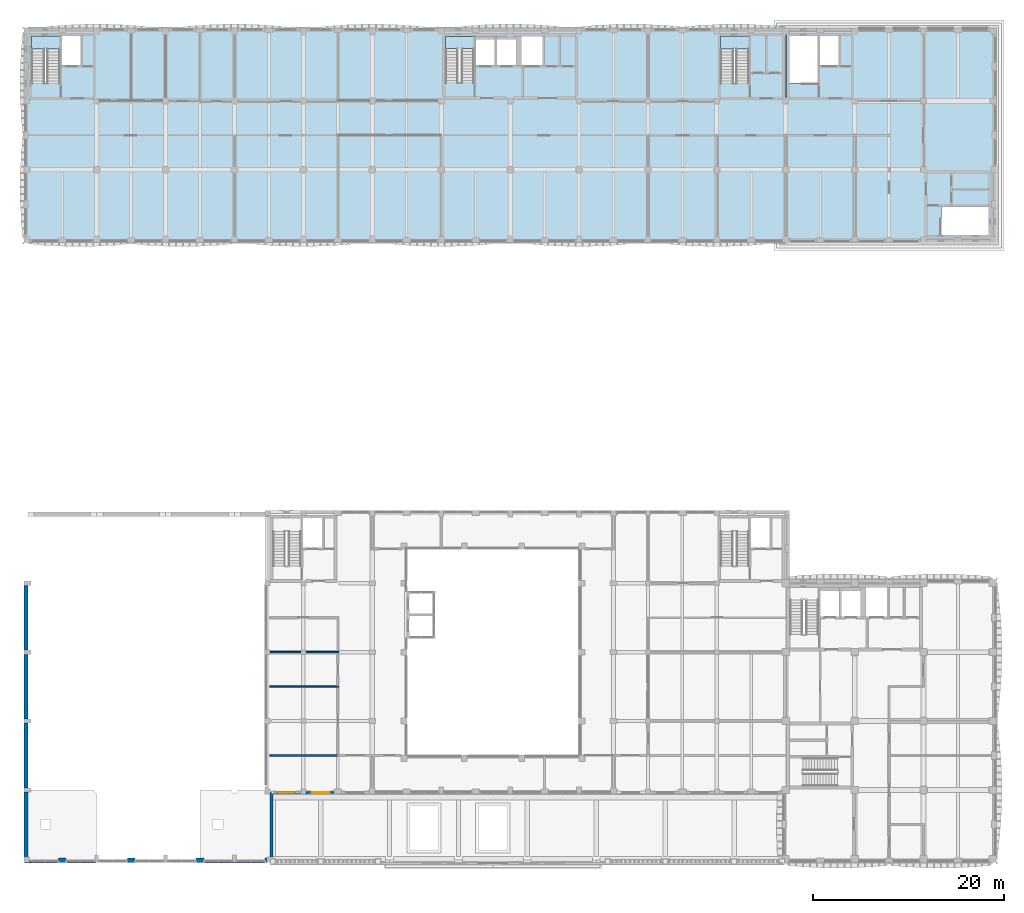
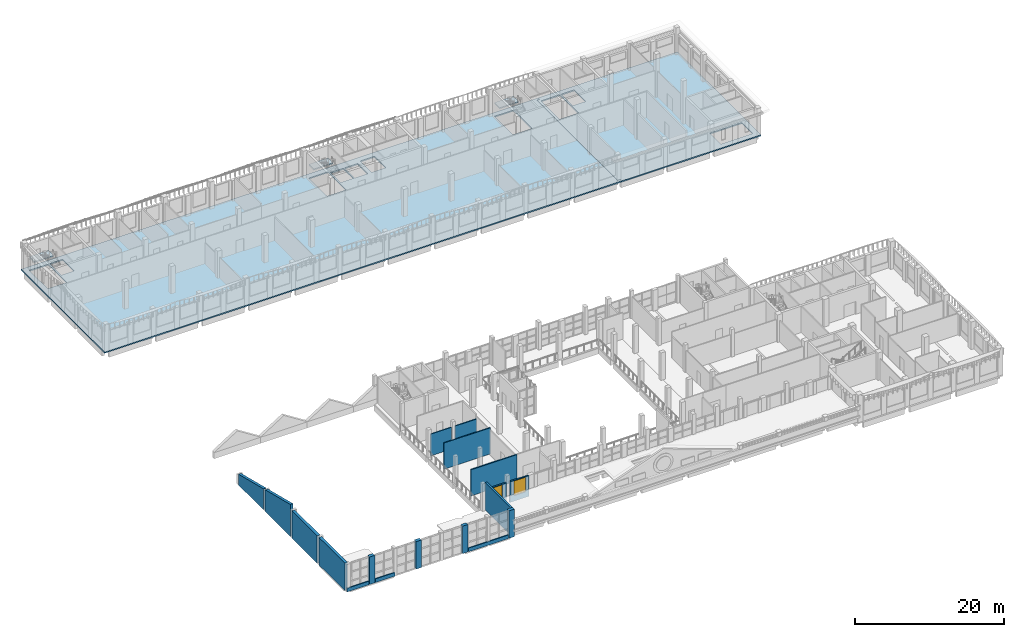
# One storey, part 19 of 58: 18 walls, 5 slabs, 2 windows, 2 openings, 3 elements without a shape of their own.
"""IFC4 building model written with IfcOpenShell, lengths in metres."""

import ifcopenshell
import ifcopenshell.guid

model = None  # the IFC model being written
_history = None  # IfcOwnerHistory: only IFC2X3 demands one
_inside = {}  # id of a spatial element -> (the spatial element, [elements in it])
_under = {}  # id of a project, library or spatial element -> (it, [spatial elements below it])
_declared = {}  # id of a project -> (the project, [libraries it declares])
_typed = {}  # id of a type object -> (the type object, [elements of that type])
_made_of = {}  # id of a material, layer set ... -> (it, [elements and type objects made of it])


def new_model(schema):
    """Start an empty IFC model of exactly this schema.

    Asked for "IFC4X3", IfcOpenShell would pick the latest addendum, in which some entities
    have other attributes; the version numbers below select the first issue.
    IFC2X3 requires an IfcOwnerHistory on every rooted entity: one is made here for all.
    """
    global model, _history
    if schema == "IFC4X3":
        model = ifcopenshell.file(schema_version=(4, 3, 0, 0))
    else:
        model = ifcopenshell.file(schema=schema)
    _inside.clear()
    _under.clear()
    _declared.clear()
    _typed.clear()
    _made_of.clear()
    _history = None
    if model.schema == "IFC2X3":
        org = make("IfcOrganization", Name="unknown")
        user = make(
            "IfcPersonAndOrganization",
            ThePerson=make("IfcPerson", FamilyName="unknown"),
            TheOrganization=org,
        )
        app = make(
            "IfcApplication",
            ApplicationDeveloper=org,
            Version="unknown",
            ApplicationFullName="unknown",
            ApplicationIdentifier="unknown",
        )
        _history = make(
            "IfcOwnerHistory",
            OwningUser=user,
            OwningApplication=app,
            ChangeAction="ADDED",
            CreationDate=0,
        )
    return model


def make(cls, **values):
    """One entity of the class cls with the attributes given. An attribute that is None is left unset."""
    return model.create_entity(
        cls, **{name: value for name, value in values.items() if value is not None}
    )


def rooted(cls, **values):
    """An entity with a GlobalId (a new one), such as an element, a storey or a relation."""
    return make(cls, GlobalId=ifcopenshell.guid.new(), OwnerHistory=_history, **values)


def si_unit(unit_type, name, prefix=None):
    """IfcSIUnit, for example si_unit("LENGTHUNIT", "METRE", prefix="MILLI")."""
    return make("IfcSIUnit", UnitType=unit_type, Prefix=prefix, Name=name)


def assignment(units):
    """IfcUnitAssignment: the units of a project."""
    return None if units is None else make("IfcUnitAssignment", Units=units)


def point(xyz):
    """IfcCartesianPoint."""
    return None if xyz is None else make("IfcCartesianPoint", Coordinates=xyz)


def direction(xyz):
    """IfcDirection."""
    return None if xyz is None else make("IfcDirection", DirectionRatios=xyz)


def frame(location, z_axis=None, x_axis=None):
    """IfcAxis2Placement3D, a coordinate frame: its origin and axes. An axis left out is left unset."""
    return make(
        "IfcAxis2Placement3D",
        Location=point(location),
        Axis=direction(z_axis),
        RefDirection=direction(x_axis),
    )


def frame_2d(location, x_axis=None):
    """IfcAxis2Placement2D, a coordinate frame in the plane: its origin and x axis."""
    return make(
        "IfcAxis2Placement2D", Location=point(location), RefDirection=direction(x_axis)
    )


def origin():
    """The frame at (0, 0, 0) with its axes left unset."""
    return frame((0.0, 0.0, 0.0))


def place(relative_to, where):
    """IfcLocalPlacement: puts the frame where relative to a parent placement (None: the world)."""
    return make(
        "IfcLocalPlacement", PlacementRelTo=relative_to, RelativePlacement=where
    )


def context(
    kind, dimensions, precision=None, world=None, true_north=None, identifier=None
):
    """IfcGeometricRepresentationContext, for example the 3D "Model" context."""
    return make(
        "IfcGeometricRepresentationContext",
        ContextIdentifier=identifier,
        ContextType=kind,
        CoordinateSpaceDimension=dimensions,
        Precision=precision,
        WorldCoordinateSystem=world,
        TrueNorth=true_north,
    )


def subcontext(parent, identifier, kind, view, scale=None):
    """IfcGeometricRepresentationSubContext, for example "Body" below "Model"."""
    return make(
        "IfcGeometricRepresentationSubContext",
        ContextIdentifier=identifier,
        ContextType=kind,
        ParentContext=parent,
        TargetScale=scale,
        TargetView=view,
    )


def project(units=None, contexts=None):
    """IfcProject with its units and contexts."""
    return rooted(
        "IfcProject",
        Name="project",
        RepresentationContexts=contexts,
        UnitsInContext=assignment(units),
    )


def spatial(cls, under=None, at=None, **own):
    """A site, building, storey or space (cls), placed at a placement, below another one or the project."""
    s = rooted(cls, ObjectPlacement=at, **own)
    if under is not None:
        _under.setdefault(under.id(), (under, []))[1].append(s)
    return s


def polyline(points):
    """IfcPolyline through the points."""
    return make("IfcPolyline", Points=[point(p) for p in points])


def profile(cls, at=None, kind="AREA", **sizes):
    """A parametric profile (cls). Its sizes go by their IFC names, for example OverallWidth=200.0."""
    return make(cls, ProfileType=kind, Position=at, **sizes)


def rectangle(**sizes):
    """IfcRectangleProfileDef."""
    return profile("IfcRectangleProfileDef", **sizes)


def outline(outer, holes=None, kind="AREA"):
    """IfcArbitraryClosedProfileDef: a profile drawn as a closed curve; with holes, ...WithVoids."""
    if holes is None:
        return make("IfcArbitraryClosedProfileDef", ProfileType=kind, OuterCurve=outer)
    return make(
        "IfcArbitraryProfileDefWithVoids",
        ProfileType=kind,
        OuterCurve=outer,
        InnerCurves=holes,
    )


def extrude(swept, where, along, depth):
    """IfcExtrudedAreaSolid: the profile swept, set in the frame where, extruded along a direction by depth."""
    return make(
        "IfcExtrudedAreaSolid",
        SweptArea=swept,
        Position=where,
        ExtrudedDirection=direction(along),
        Depth=depth,
    )


def shape(context_of_items, identifier, shape_type, items):
    """IfcShapeRepresentation: the items that make up one representation, for example the "Body"."""
    return make(
        "IfcShapeRepresentation",
        ContextOfItems=context_of_items,
        RepresentationIdentifier=identifier,
        RepresentationType=shape_type,
        Items=items,
    )


def material(Name=None, Category=None):
    """IfcMaterial."""
    return make("IfcMaterial", Name=Name, Category=Category)


def layer(
    of_material, thickness, ventilated=None, Name=None, Category=None, Priority=None
):
    """IfcMaterialLayer: one layer of a wall or slab, of a material (None: an air gap)."""
    return make(
        "IfcMaterialLayer",
        Material=of_material,
        LayerThickness=thickness,
        IsVentilated=ventilated,
        Name=Name,
        Category=Category,
        Priority=Priority,
    )


def layer_set(layers, Name=None):
    """IfcMaterialLayerSet."""
    return make("IfcMaterialLayerSet", MaterialLayers=layers, LayerSetName=Name)


def made_of(thing, what):
    """Note that an element or type object is made of a material, layer set ...; save() writes the relation."""
    if what is not None:
        _made_of.setdefault(what.id(), (what, []))[1].append(thing)
    return thing


def type_object(cls, material=None, **own):
    """A type object (cls), such as IfcWallType, which elements share."""
    return made_of(rooted(cls, **own), material)


def element(
    cls,
    number,
    at=None,
    inside=None,
    cuts=None,
    type_object=None,
    material=None,
    context=None,
    identifier="Body",
    shape_type=None,
    held_by="IfcProductDefinitionShape",
    body=None,
    shapes=None,
    **own,
):
    """One element of the class cls, such as IfcWall. Its Tag is "e" and its number.

    at: its placement. inside: the storey or other place that contains it. cuts: it is an
    opening in that element (IfcRelVoidsElement). A single representation is given by context,
    identifier, shape_type and body (its items); several are given by shapes. held_by: the class
    of the entity that holds the representations. save() writes the other relations.
    """
    e = rooted(cls, Tag="e%d" % number, ObjectPlacement=at, **own)
    if body is not None:
        shapes = [shape(context, identifier, shape_type, body)]
    if shapes is not None:
        e.Representation = make(held_by, Representations=shapes)
    if inside is not None:
        _inside.setdefault(inside.id(), (inside, []))[1].append(e)
    if cuts is not None:
        rooted(
            "IfcRelVoidsElement", RelatingBuildingElement=cuts, RelatedOpeningElement=e
        )
    if type_object is not None:
        _typed.setdefault(type_object.id(), (type_object, []))[1].append(e)
    return made_of(e, material)


def fill(opening, filler):
    """IfcRelFillsElement: the door or window that sits in an opening."""
    return rooted(
        "IfcRelFillsElement",
        RelatingOpeningElement=opening,
        RelatedBuildingElement=filler,
    )


def aggregate(whole, parts):
    """IfcRelAggregates: a whole, such as a stair, and the parts it consists of."""
    return rooted("IfcRelAggregates", RelatingObject=whole, RelatedObjects=parts)


def save(model, path):
    """Write the relations noted so far, then the file.

    IfcRelAggregates (storeys below a building ...), IfcRelContainedInSpatialStructure (elements
    in a storey), IfcRelDefinesByType, IfcRelAssociatesMaterial and IfcRelDeclares: one each for
    every whole, place, type object, material and project.
    """
    for whole, parts in _under.values():
        aggregate(whole, parts)
    for where, things in _inside.values():
        rooted(
            "IfcRelContainedInSpatialStructure",
            RelatedElements=things,
            RelatingStructure=where,
        )
    for kind, things in _typed.values():
        rooted("IfcRelDefinesByType", RelatedObjects=things, RelatingType=kind)
    for what, things in _made_of.values():
        rooted("IfcRelAssociatesMaterial", RelatedObjects=things, RelatingMaterial=what)
    for by, libraries in _declared.values():
        rooted("IfcRelDeclares", RelatingContext=by, RelatedDefinitions=libraries)
    model.write(path)


model = new_model("IFC4")

# Units and contexts
model_context = context("Model", 3, precision=1e-05, world=origin(), true_north=direction((0.0, 1.0)))
body_context = subcontext(model_context, "Body", "Model", "MODEL_VIEW")
ifc_project = project(units=[si_unit("LENGTHUNIT", "METRE"), si_unit("AREAUNIT", "SQUARE_METRE"), si_unit("VOLUMEUNIT", "CUBIC_METRE"), si_unit("PLANEANGLEUNIT", "RADIAN"), si_unit("MASSUNIT", "GRAM", prefix="KILO")], contexts=[model_context])

# Site, building, storey
site_placement = place(None, origin())
site = spatial("IfcSite", under=ifc_project, at=site_placement, CompositionType="ELEMENT")
building_placement = place(site_placement, origin())
building = spatial("IfcBuilding", under=site, at=building_placement, Name="Ussher Court Research Institute", CompositionType="ELEMENT")
storey_placement = place(building_placement, frame((0.0, 0.0, 9.89990234375)))
storey = spatial("IfcBuildingStorey", under=building, at=storey_placement, Name="L02", CompositionType="ELEMENT", Elevation=9.89990234375)

# Slabs
ifc_material_1 = material(Name="Concrete C35/45", Category="concrete")
ifc_layer_1 = layer(ifc_material_1, 0.199951171875)
ifc_layer_set_1 = layer_set([ifc_layer_1], Name="Concrete C35/45")
slab_type_1 = type_object("IfcSlabType", Name="Floor slab 200", PredefinedType="FLOOR", material=ifc_layer_set_1)
slab_1_placement = place(storey_placement, frame((0.0, 0.0, -0.199951171875)))
element("IfcSlab", 1, at=slab_1_placement, inside=storey, type_object=slab_type_1, Name="FS200 V5 L02-01", PredefinedType="FLOOR", context=body_context, shape_type="SweptSolid", body=[
    extrude(outline(polyline([(82.60009765625, 90.800048828125), (2.60009765625, 90.800048828125), (2.60009765625, 68.39990234375), (82.60009765625, 68.39990234375), (82.60009765625, 68.800048828125), (82.199951171875, 68.800048828125), (82.199951171875, 90.39990234375), (82.60009765625, 90.39990234375), (82.60009765625, 90.800048828125)]), holes=[polyline([(3.39990234375, 85.050048828125), (3.39990234375, 90.0), (6.35009765625, 90.0), (6.35009765625, 85.050048828125), (3.39990234375, 85.050048828125)]), polyline([(46.64990234375, 85.10009765625), (46.64990234375, 89.949951171875), (49.60009765625, 89.949951171875), (49.60009765625, 85.10009765625), (46.64990234375, 85.10009765625)]), polyline([(75.39990234375, 85.050048828125), (75.39990234375, 90.0), (78.35009765625, 90.0), (78.35009765625, 85.050048828125), (75.39990234375, 85.050048828125)]), polyline([(51.800048828125, 86.89990234375), (49.800048828125, 86.89990234375), (49.800048828125, 89.60009765625), (51.800048828125, 89.60009765625), (51.800048828125, 86.89990234375)]), polyline([(52.0, 86.89990234375), (52.0, 89.60009765625), (54.0, 89.60009765625), (54.0, 86.89990234375), (52.0, 86.89990234375)]), polyline([(54.60009765625, 86.89990234375), (54.60009765625, 89.949951171875), (56.800048828125, 89.949951171875), (56.800048828125, 86.89990234375), (54.60009765625, 86.89990234375)]), polyline([(8.550048828125, 86.89990234375), (6.550048828125, 86.89990234375), (6.550048828125, 90.0), (8.550048828125, 90.0), (8.550048828125, 86.89990234375)])]), origin(), (0.0, 0.0, 1.0), 0.199951171875),
])
slab_2_placement = place(storey_placement, frame((0.0, 0.0, -0.199951171875)))
element("IfcSlab", 2, at=slab_2_placement, inside=storey, type_object=slab_type_1, Name="FS200 V3 L02-01", PredefinedType="FLOOR", context=body_context, shape_type="SweptSolid", body=[
    extrude(outline(polyline([(82.60009765625, 90.39990234375), (82.199951171875, 90.39990234375), (82.199951171875, 68.800048828125), (82.60009765625, 68.800048828125), (82.60009765625, 68.39990234375), (104.199951171875, 68.39990234375), (104.199951171875, 90.800048828125), (82.60009765625, 90.800048828125), (82.60009765625, 90.39990234375)]), holes=[polyline([(98.449951171875, 72.14990234375), (103.39990234375, 72.14990234375), (103.39990234375, 69.199951171875), (98.449951171875, 69.199951171875), (98.449951171875, 72.14990234375)]), polyline([(82.60009765625, 90.0), (85.550048828125, 90.0), (85.550048828125, 85.050048828125), (82.60009765625, 85.050048828125), (82.60009765625, 90.0)]), polyline([(85.75, 86.89990234375), (85.75, 90.0), (87.75, 90.0), (87.75, 86.89990234375), (85.75, 86.89990234375)])]), origin(), (0.0, 0.0, 1.0), 0.199951171875),
])

# Stair, slab
ifc_material_2 = material(Name="Concrete C35/45", Category="concrete")
stair_type_1 = type_object("IfcStairType", Name="Core stair 26 risers 173 mm x 300 going 1280 wide", PredefinedType="HALF_TURN_STAIR", material=ifc_material_2)
stair_1_placement = place(storey_placement, origin())
stair_1 = element("IfcStair", 3, at=stair_1_placement, inside=storey, type_object=stair_type_1, Name="L02 Stair D2", PredefinedType="HALF_TURN_STAIR")
ifc_material_3 = material(Name="Concrete C35/45", Category="concrete")
ifc_layer_2 = layer(ifc_material_3, 0.199951171875)
ifc_layer_set_2 = layer_set([ifc_layer_2], Name="Concrete C35/45")
slab_type_2 = type_object("IfcSlabType", Name="Stair landing 200 RC", PredefinedType="LANDING", material=ifc_layer_set_2)
slab_3_placement = place(storey_placement, frame((0.0, 0.0, 2.050048828125)))
slab_3 = element("IfcSlab", 4, at=slab_3_placement, type_object=slab_type_2, Name="D2 landing 1", PredefinedType="LANDING", context=body_context, shape_type="SweptSolid", body=[
    extrude(outline(polyline([(49.60009765625, 88.64990234375), (49.60009765625, 89.949951171875), (46.64990234375, 89.949951171875), (46.64990234375, 88.64990234375), (49.60009765625, 88.64990234375)])), origin(), (0.0, 0.0, 1.0), 0.199951171875),
])
aggregate(stair_1, [slab_3])

ifc_material_4 = material(Name="Concrete C35/45", Category="concrete")
stair_type_2 = type_object("IfcStairType", Name="Core stair 26 risers 173 mm x 300 going 1350 wide", PredefinedType="HALF_TURN_STAIR", material=ifc_material_4)
stair_2_placement = place(storey_placement, origin())
stair_2 = element("IfcStair", 5, at=stair_2_placement, inside=storey, type_object=stair_type_2, Name="L02 Stair D1", PredefinedType="HALF_TURN_STAIR")
ifc_material_5 = material(Name="Concrete C35/45", Category="concrete")
ifc_layer_3 = layer(ifc_material_5, 0.239990234375)
ifc_layer_set_3 = layer_set([ifc_layer_3], Name="Concrete C35/45")
slab_type_3 = type_object("IfcSlabType", Name="Stair landing 240 RC", PredefinedType="LANDING", material=ifc_layer_set_3)
slab_4_placement = place(storey_placement, frame((0.0, 0.0, 2.050048828125)))
slab_4 = element("IfcSlab", 6, at=slab_4_placement, type_object=slab_type_3, Name="D1 landing 1", PredefinedType="LANDING", context=body_context, shape_type="SweptSolid", body=[
    extrude(outline(polyline([(6.35009765625, 88.60009765625), (6.35009765625, 90.0), (3.39990234375, 90.0), (3.39990234375, 88.60009765625), (6.35009765625, 88.60009765625)])), origin(), (0.0, 0.0, 1.0), 0.199951171875),
])
aggregate(stair_2, [slab_4])

stair_3_placement = place(storey_placement, origin())
stair_3 = element("IfcStair", 7, at=stair_3_placement, inside=storey, type_object=stair_type_2, Name="L02 Stair D3", PredefinedType="HALF_TURN_STAIR")
slab_5_placement = place(storey_placement, frame((0.0, 0.0, 2.050048828125)))
slab_5 = element("IfcSlab", 8, at=slab_5_placement, type_object=slab_type_3, Name="D3 landing 1", PredefinedType="LANDING", context=body_context, shape_type="SweptSolid", body=[
    extrude(outline(polyline([(78.35009765625, 88.60009765625), (78.35009765625, 90.0), (75.39990234375, 90.0), (75.39990234375, 88.60009765625), (78.35009765625, 88.60009765625)])), origin(), (0.0, 0.0, 1.0), 0.199951171875),
])
aggregate(stair_3, [slab_5])

# Walls
ifc_material_6 = material(Name="Plasterboard on steel studs with mineral wool", Category="steel")
ifc_layer_4 = layer(ifc_material_6, 0.179931640625)
ifc_layer_set_4 = layer_set([ifc_layer_4], Name="Plasterboard on steel studs with mineral wool")
wall_type_1 = type_object("IfcWallType", Name="Acoustic twin-stud partition 180", PredefinedType="PARTITIONING", material=ifc_layer_set_4)
wall_1_placement = place(storey_placement, frame((28.300048828125, 14.800048828125, 0.0), z_axis=(0.0, 0.0, 1.0), x_axis=(1.0, 0.0, 0.0)))
element("IfcWall", 9, at=wall_1_placement, inside=storey, type_object=wall_type_1, Name="Partition", PredefinedType="PARTITIONING", context=body_context, shape_type="SweptSolid", body=[
    extrude(rectangle(XDim=7.099853515625, YDim=0.179931640625, at=frame_2d((3.5498046875, 0.0))), origin(), (0.0, 0.0, 1.0), 4.300048828125),
])
ifc_material_7 = material(Name="Concrete C35/45", Category="concrete")
ifc_layer_5 = layer(ifc_material_7, 0.419921875)
ifc_layer_set_5 = layer_set([ifc_layer_5], Name="Concrete C35/45")
wall_type_2 = type_object("IfcWallType", Name="Blind west wall 420 reinforced concrete limestone faced", PredefinedType="SOLIDWALL", material=ifc_layer_set_5)
wall_2_placement = place(storey_placement, frame((2.81005859375, 4.0, 0.0), z_axis=(0.0, 0.0, 1.0), x_axis=(0.0, 1.0, 0.0)))
element("IfcWall", 10, at=wall_2_placement, inside=storey, type_object=wall_type_2, Name="RC wall RW2 west", PredefinedType="SOLIDWALL", context=body_context, shape_type="SweptSolid", body=[
    extrude(rectangle(XDim=6.97509765625, YDim=0.419921875, at=frame_2d((3.487548828125, 0.0))), origin(), (0.0, 0.0, 1.0), 4.5),
])
wall_3_placement = place(storey_placement, frame((2.81005859375, 11.425048828125, 0.0), z_axis=(0.0, 0.0, 1.0), x_axis=(0.0, 1.0, 0.0)))
element("IfcWall", 11, at=wall_3_placement, inside=storey, type_object=wall_type_2, Name="RC wall RW2 west", PredefinedType="SOLIDWALL", context=body_context, shape_type="SweptSolid", body=[
    extrude(rectangle(XDim=6.75, YDim=0.419921875, at=frame_2d((3.375, 0.0))), origin(), (0.0, 0.0, 1.0), 4.5),
])
wall_4_placement = place(storey_placement, frame((2.81005859375, 18.625, 0.0), z_axis=(0.0, 0.0, 1.0), x_axis=(0.0, 1.0, 0.0)))
element("IfcWall", 12, at=wall_4_placement, inside=storey, type_object=wall_type_2, Name="RC wall RW2 west", PredefinedType="SOLIDWALL", context=body_context, shape_type="SweptSolid", body=[
    extrude(outline(polyline([(0.0, 0.0), (6.75, 0.0), (6.75, 3.556396484375), (0.0, 5.243896484375), (0.0, 0.0)])), frame((0.0, 0.2099609375, 0.0), z_axis=(0.0, -1.0, 0.0), x_axis=(1.0, 0.0, 0.0)), (0.0, 0.0, 1.0), 0.419921875),
])
wall_5_placement = place(storey_placement, frame((2.81005859375, 25.824951171875, 0.0), z_axis=(0.0, 0.0, 1.0), x_axis=(0.0, 1.0, 0.0)))
element("IfcWall", 13, at=wall_5_placement, inside=storey, type_object=wall_type_2, Name="RC wall RW2 west", PredefinedType="SOLIDWALL", context=body_context, shape_type="SweptSolid", body=[
    extrude(outline(polyline([(0.0, 0.0), (6.75, 0.0), (6.75, 1.75634765625), (0.0, 3.44384765625), (0.0, 0.0)])), frame((0.0, 0.2099609375, 0.0), z_axis=(0.0, -1.0, 0.0), x_axis=(1.0, 0.0, 0.0)), (0.0, 0.0, 1.0), 0.419921875),
])
ifc_material_8 = material(Name="Concrete C35/45", Category="concrete")
ifc_layer_6 = layer(ifc_material_8, 0.199951171875)
ifc_layer_set_6 = layer_set([ifc_layer_6], Name="Concrete C35/45")
wall_type_3 = type_object("IfcWallType", Name="Core roof parapet 200 RC", PredefinedType="PARAPET", material=ifc_layer_set_6)
wall_6_placement = place(storey_placement, frame((2.699951171875, 3.699951171875, 0.0), z_axis=(0.0, 0.0, 1.0), x_axis=(1.0, 0.0, 0.0)))
element("IfcWall", 14, at=wall_6_placement, inside=storey, type_object=wall_type_3, Name="Core roof parapet H1", PredefinedType="PARAPET", context=body_context, shape_type="SweptSolid", body=[
    extrude(rectangle(XDim=3.400146484375, YDim=0.199951171875, at=frame_2d((1.7001953125, 0.0))), origin(), (0.0, 0.0, 1.0), 0.60009765625),
])
wall_7_placement = place(storey_placement, frame((7.099853515625, 3.699951171875, 0.0), z_axis=(0.0, 0.0, 1.0), x_axis=(1.0, 0.0, 0.0)))
element("IfcWall", 15, at=wall_7_placement, inside=storey, type_object=wall_type_3, Name="Core roof parapet H1", PredefinedType="PARAPET", context=body_context, shape_type="SweptSolid", body=[
    extrude(rectangle(XDim=3.000244140625, YDim=0.199951171875, at=frame_2d((1.5, 0.0))), origin(), (0.0, 0.0, 1.0), 0.60009765625),
])
wall_8_placement = place(storey_placement, frame((21.5, 3.699951171875, 0.0), z_axis=(0.0, 0.0, 1.0), x_axis=(1.0, 0.0, 0.0)))
element("IfcWall", 16, at=wall_8_placement, inside=storey, type_object=wall_type_3, Name="Core roof parapet H2", PredefinedType="PARAPET", context=body_context, shape_type="SweptSolid", body=[
    extrude(rectangle(XDim=6.2001953125, YDim=0.199951171875, at=frame_2d((3.10009765625, 0.0))), origin(), (0.0, 0.0, 1.0), 0.60009765625),
])
ifc_material_9 = material(Name="Plastered blockwork", Category="masonry")
ifc_layer_7 = layer(ifc_material_9, 0.14990234375)
ifc_layer_set_7 = layer_set([ifc_layer_7], Name="Plastered blockwork")
wall_type_4 = type_object("IfcWallType", Name="Fire partition blockwork 150 EI 60", PredefinedType="PARTITIONING", material=ifc_layer_set_7)
wall_9_placement = place(storey_placement, frame((28.300048828125, 22.0, 0.0), z_axis=(0.0, 0.0, 1.0), x_axis=(1.0, 0.0, 0.0)))
element("IfcWall", 17, at=wall_9_placement, inside=storey, type_object=wall_type_4, Name="Fire partition", PredefinedType="PARTITIONING", context=body_context, shape_type="SweptSolid", body=[
    extrude(rectangle(XDim=7.18994140625, YDim=0.14990234375, at=frame_2d((3.594970703125, 0.0))), origin(), (0.0, 0.0, 1.0), 4.300048828125),
])
wall_10_placement = place(storey_placement, frame((28.300048828125, 25.60009765625, 0.0), z_axis=(0.0, 0.0, 1.0), x_axis=(1.0, 0.0, 0.0)))
element("IfcWall", 18, at=wall_10_placement, inside=storey, type_object=wall_type_4, Name="Fire partition", PredefinedType="PARTITIONING", context=body_context, shape_type="SweptSolid", body=[
    extrude(rectangle(XDim=3.25, YDim=0.14990234375, at=frame_2d((1.625, 0.0))), origin(), (0.0, 0.0, 1.0), 3.570068359375),
])
wall_11_placement = place(storey_placement, frame((32.050048828125, 25.60009765625, 0.0), z_axis=(0.0, 0.0, 1.0), x_axis=(1.0, 0.0, 0.0)))
element("IfcWall", 19, at=wall_11_placement, inside=storey, type_object=wall_type_4, Name="Fire partition", PredefinedType="PARTITIONING", context=body_context, shape_type="SweptSolid", body=[
    extrude(rectangle(XDim=3.43994140625, YDim=0.14990234375, at=frame_2d((1.719970703125, 0.0))), origin(), (0.0, 0.0, 1.0), 3.570068359375),
])

# Wall, opening, window
ifc_material_10 = material(Name="Limestone facing on insulated blockwork", Category="masonry")
ifc_layer_8 = layer(ifc_material_10, 0.219970703125)
ifc_layer_set_8 = layer_set([ifc_layer_8], Name="Limestone facing on insulated blockwork")
wall_type_5 = type_object("IfcWallType", Name="Link wall 220 limestone faced insulated block", PredefinedType="SOLIDWALL", material=ifc_layer_set_8)
wall_12_placement = place(storey_placement, frame((35.0, 10.909912109375, 0.0), z_axis=(0.0, 0.0, 1.0), x_axis=(-1.0, 0.0, 0.0)))
wall_12 = element("IfcWall", 20, at=wall_12_placement, inside=storey, type_object=wall_type_5, Name="External wall EW6 L02", PredefinedType="SOLIDWALL", context=body_context, shape_type="SweptSolid", body=[
    extrude(rectangle(XDim=2.949951171875, YDim=0.219970703125, at=frame_2d((1.47509765625, 0.0))), origin(), (0.0, 0.0, 1.0), 3.400146484375),
])
opening_1_placement = place(wall_12_placement, frame((0.5, 0.0, 0.89990234375)))
opening_1 = element("IfcOpeningElement", 21, at=opening_1_placement, cuts=wall_12, Name="Opening W05", PredefinedType="OPENING", context=body_context, shape_type="SweptSolid", body=[
    extrude(rectangle(XDim=1.800048828125, YDim=2.39990234375, at=frame_2d((0.89990234375, 1.199951171875))), frame((0.0, 0.1201171875, 0.0), z_axis=(0.0, -1.0, 0.0), x_axis=(1.0, 0.0, 0.0)), (0.0, 0.0, 1.0), 0.239990234375),
])
ifc_material_11 = material(Name="Bronze anodised aluminium with double glazing", Category="aluminium")
window_type = type_object("IfcWindowType", Name="Reading link window 1800x2400", PartitioningType="DOUBLE_PANEL_VERTICAL", PredefinedType="WINDOW", material=ifc_material_11)
window_1_placement = place(opening_1_placement, origin())
window_1 = element("IfcWindow", 22, at=window_1_placement, inside=storey, type_object=window_type, Name="Window W05 L02", OverallHeight=2.39990234375, OverallWidth=1.800048828125, PartitioningType="SINGLE_PANEL", PredefinedType="WINDOW", context=body_context, shape_type="SweptSolid", body=[
    extrude(rectangle(XDim=1.800048828125, YDim=2.39990234375, at=frame_2d((0.89990234375, 1.199951171875))), frame((0.0, 0.030029296875, 0.0), z_axis=(0.0, -1.0, 0.0), x_axis=(1.0, 0.0, 0.0)), (0.0, 0.0, 1.0), 0.06005859375),
])
fill(opening_1, window_1)

wall_13_placement = place(storey_placement, frame((31.550048828125, 10.909912109375, 0.0), z_axis=(0.0, 0.0, 1.0), x_axis=(-1.0, 0.0, 0.0)))
wall_13 = element("IfcWall", 23, at=wall_13_placement, inside=storey, type_object=wall_type_5, Name="External wall EW6 L02", PredefinedType="SOLIDWALL", context=body_context, shape_type="SweptSolid", body=[
    extrude(rectangle(XDim=2.949951171875, YDim=0.219970703125, at=frame_2d((1.47509765625, 0.0))), origin(), (0.0, 0.0, 1.0), 3.400146484375),
])
opening_2_placement = place(wall_13_placement, frame((0.64990234375, 0.0, 0.89990234375)))
opening_2 = element("IfcOpeningElement", 24, at=opening_2_placement, cuts=wall_13, Name="Opening W05", PredefinedType="OPENING", context=body_context, shape_type="SweptSolid", body=[
    extrude(rectangle(XDim=1.800048828125, YDim=2.39990234375, at=frame_2d((0.89990234375, 1.199951171875))), frame((0.0, 0.1201171875, 0.0), z_axis=(0.0, -1.0, 0.0), x_axis=(1.0, 0.0, 0.0)), (0.0, 0.0, 1.0), 0.239990234375),
])
window_2_placement = place(opening_2_placement, origin())
window_2 = element("IfcWindow", 25, at=window_2_placement, inside=storey, type_object=window_type, Name="Window W05 L02", OverallHeight=2.39990234375, OverallWidth=1.800048828125, PartitioningType="SINGLE_PANEL", PredefinedType="WINDOW", context=body_context, shape_type="SweptSolid", body=[
    extrude(rectangle(XDim=1.800048828125, YDim=2.39990234375, at=frame_2d((0.89990234375, 1.199951171875))), frame((0.0, 0.030029296875, 0.0), z_axis=(0.0, -1.0, 0.0), x_axis=(1.0, 0.0, 0.0)), (0.0, 0.0, 1.0), 0.06005859375),
])
fill(opening_2, window_2)

# Walls
ifc_material_12 = material(Name="Rusticated limestone facing on blockwork", Category="masonry")
ifc_layer_9 = layer(ifc_material_12, 0.5)
ifc_layer_set_9 = layer_set([ifc_layer_9], Name="Rusticated limestone facing on blockwork")
wall_type_6 = type_object("IfcWallType", Name="Pier 800x500 rusticated limestone", PredefinedType="SOLIDWALL", material=ifc_layer_set_9)
wall_14_placement = place(storey_placement, frame((28.60009765625, 3.85009765625, 0.0), z_axis=(0.0, 0.0, 1.0), x_axis=(-1.0, 0.0, 0.0)))
element("IfcWall", 26, at=wall_14_placement, inside=storey, type_object=wall_type_6, Name="Pier PR2 L02", PredefinedType="SOLIDWALL", context=body_context, shape_type="SweptSolid", body=[
    extrude(rectangle(XDim=0.800048828125, YDim=0.5, at=frame_2d((0.39990234375, 0.0))), origin(), (0.0, 0.0, 1.0), 4.5),
])
wall_15_placement = place(storey_placement, frame((21.39990234375, 3.85009765625, 0.0), z_axis=(0.0, 0.0, 1.0), x_axis=(-1.0, 0.0, 0.0)))
element("IfcWall", 27, at=wall_15_placement, inside=storey, type_object=wall_type_6, Name="Pier PR2 L02", PredefinedType="SOLIDWALL", context=body_context, shape_type="SweptSolid", body=[
    extrude(rectangle(XDim=0.7998046875, YDim=0.5, at=frame_2d((0.39990234375, 0.0))), origin(), (0.0, 0.0, 1.0), 4.5),
])
for number, where, z_axis, x_axis, name in (
    (28, (14.199951171875, 3.85009765625, 0.0), (0.0, 0.0, 1.0), (-1.0, 0.0, 0.0), "Pier PR2 L02"),
    (29, (7.0, 3.85009765625, 0.0), (0.0, 0.0, 1.0), (-1.0, 0.0, 0.0), "Pier PR2 L02"),
):
    element("IfcWall", number, at=place(storey_placement, frame(where, z_axis=z_axis, x_axis=x_axis)), inside=storey, type_object=wall_type_6, Name=name, PredefinedType="SOLIDWALL", context=body_context, shape_type="SweptSolid", body=[
        extrude(rectangle(XDim=0.800048828125, YDim=0.5, at=frame_2d((0.39990234375, 0.0))), origin(), (0.0, 0.0, 1.0), 4.5),
    ])
ifc_material_13 = material(Name="Concrete C35/45", Category="concrete")
ifc_layer_10 = layer(ifc_material_13, 0.300048828125)
ifc_layer_set_10 = layer_set([ifc_layer_10], Name="Concrete C35/45")
wall_type_7 = type_object("IfcWallType", Name="RC wall 300 limestone faced", PredefinedType="SOLIDWALL", material=ifc_layer_set_10)
wall_16_placement = place(storey_placement, frame((28.449951171875, 10.949951171875, 0.0), z_axis=(0.0, 0.0, 1.0), x_axis=(0.0, -1.0, 0.0)))
element("IfcWall", 30, at=wall_16_placement, inside=storey, type_object=wall_type_7, Name="RC wall RW1 east", PredefinedType="SOLIDWALL", context=body_context, shape_type="SweptSolid", body=[
    extrude(rectangle(XDim=6.949951171875, YDim=0.300048828125, at=frame_2d((3.47509765625, 0.0))), origin(), (0.0, 0.0, 1.0), 4.5),
])

save(model, "model.ifc")
